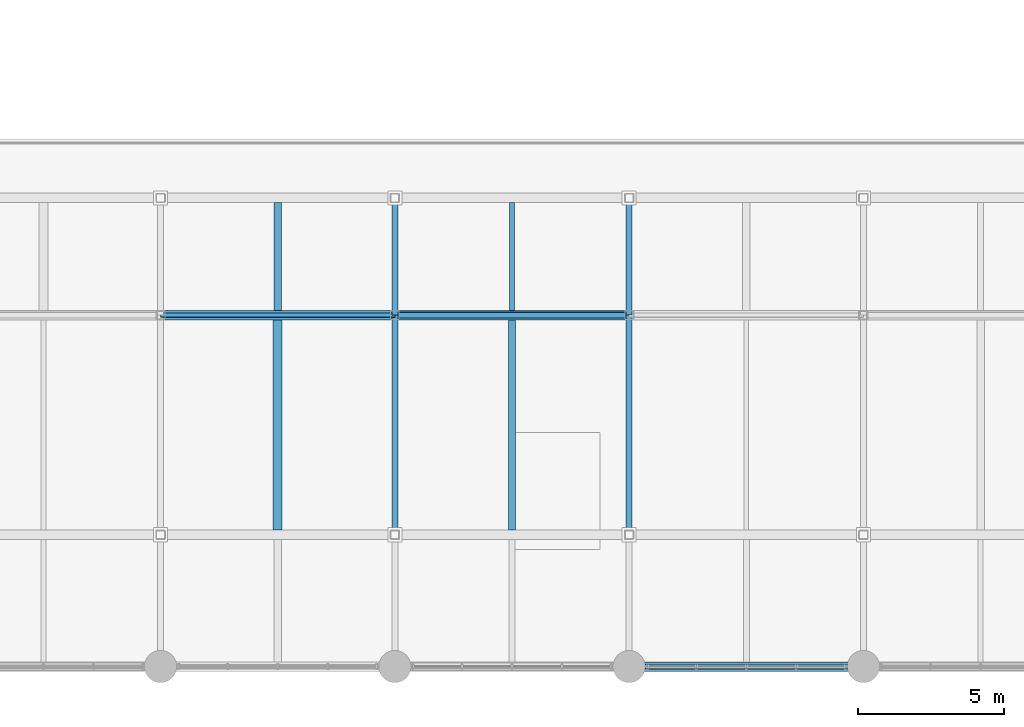
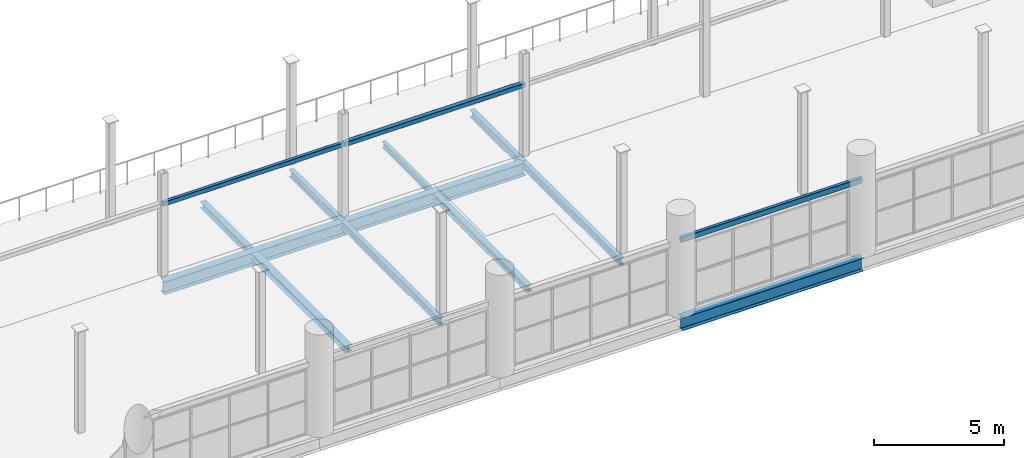
# One storey, part 28 of 114: 14 beams.
"""IFC4 building model written with IfcOpenShell, lengths in metres."""

from ifc_helpers import new_model, si_unit, direction, frame, origin, origin_2d, place, context, subcontext, project, spatial, hollow_rectangle, i_section, extrude, material, material_profile, profile_set, type_object, element, save


model = new_model("IFC4")

# Units and contexts
model_context = context("Model", 3, precision=1e-05, world=origin(), true_north=direction((0.0, 1.0)))
body_context = subcontext(model_context, "Body", "Model", "MODEL_VIEW")
ifc_project = project(units=[si_unit("LENGTHUNIT", "METRE"), si_unit("AREAUNIT", "SQUARE_METRE"), si_unit("VOLUMEUNIT", "CUBIC_METRE"), si_unit("PLANEANGLEUNIT", "RADIAN"), si_unit("MASSUNIT", "GRAM", prefix="KILO")], contexts=[model_context])

# Site, building, storey
site_placement = place(None, origin())
site = spatial("IfcSite", under=ifc_project, at=site_placement, CompositionType="ELEMENT")
building_placement = place(site_placement, origin())
building = spatial("IfcBuilding", under=site, at=building_placement, Name="Verrall Gate Interchange", CompositionType="ELEMENT")
storey_placement = place(building_placement, frame((0.0, 0.0, 6.60009765625)))
storey = spatial("IfcBuildingStorey", under=building, at=storey_placement, Name="L02", CompositionType="ELEMENT", Elevation=6.60009765625)

# Beams
ifc_material_1 = material(Name="Structural Steel CSA G40.21 350WT Cat 4", Category="steel")
ifc_material_profile_1 = material_profile(ifc_material_1, i_section(OverallWidth=0.323974609375, OverallDepth=0.611083984375, WebThickness=0.0126953125, FlangeThickness=0.01904296875, FilletRadius=0.014892578125, at=origin_2d()), Name="W610x155")
ifc_profile_set_1 = profile_set([ifc_material_profile_1], Name="Structural Steel CSA G40.21 350WT Cat 4")
beam_type_1 = type_object("IfcBeamType", Name="B-08 Structural Beam W610x155", PredefinedType="BEAM", material=ifc_profile_set_1)
for number, where, z_axis, x_axis, name in (
    (1, (76.0, 0.0, -0.585693359375), (1.0, 0.0, 0.0), (0.0, 1.0, 0.0), "L02 Girder BM-L02-1446 (B-08)"),
    (2, (60.0, 12.0, -0.585693359375), (1.0, 0.0, 0.0), (0.0, 1.0, 0.0), "L02 Girder BM-L02-1475 (B-08)"),
    (3, (68.0, 12.0, -0.585693359375), (1.0, 0.0, 0.0), (0.0, 1.0, 0.0), "L02 Girder BM-L02-1476 (B-08)"),
):
    element("IfcBeam", number, at=place(storey_placement, frame(where, z_axis=z_axis, x_axis=x_axis)), inside=storey, type_object=beam_type_1, Name=name, PredefinedType="BEAM", context=body_context, shape_type="SweptSolid", body=[
        extrude(i_section(OverallWidth=0.323974609375, OverallDepth=0.611083984375, WebThickness=0.0126953125, FlangeThickness=0.01904296875, FilletRadius=0.014892578125, at=origin_2d()), origin(), (0.0, 0.0, 1.0), 8.0),
    ])
ifc_material_2 = material(Name="Structural Steel CSA G40.21 350W", Category="steel")
ifc_material_profile_2 = material_profile(ifc_material_2, i_section(OverallWidth=0.205078125, OverallDepth=0.35400390625, WebThickness=0.009521484375, FlangeThickness=0.016845703125, FilletRadius=0.012939453125, at=origin_2d()), Name="W360x79")
ifc_profile_set_2 = profile_set([ifc_material_profile_2], Name="Structural Steel CSA G40.21 350W")
beam_type_2 = type_object("IfcBeamType", Name="B-14 Structural Beam W360x79", PredefinedType="BEAM", material=ifc_profile_set_2)
beam_1_placement = place(storey_placement, frame((68.0, 4.5, -0.45703125), z_axis=(0.0, 1.0, 0.0), x_axis=(-1.0, 0.0, 0.0)))
element("IfcBeam", 4, at=beam_1_placement, inside=storey, type_object=beam_type_2, Name="L02 Girder BM-L02-1748 (B-14)", PredefinedType="BEAM", context=body_context, shape_type="SweptSolid", body=[
    extrude(i_section(OverallWidth=0.205078125, OverallDepth=0.35400390625, WebThickness=0.009521484375, FlangeThickness=0.016845703125, FilletRadius=0.012939453125, at=origin_2d()), origin(), (0.0, 0.0, 1.0), 7.5),
])
beam_2_placement = place(storey_placement, frame((68.0, 12.0, -0.45703125), z_axis=(0.0, 1.0, 0.0), x_axis=(-1.0, 0.0, 0.0)))
element("IfcBeam", 5, at=beam_2_placement, inside=storey, type_object=beam_type_2, Name="L02 Girder BM-L02-1749 (B-14)", PredefinedType="BEAM", context=body_context, shape_type="SweptSolid", body=[
    extrude(i_section(OverallWidth=0.205078125, OverallDepth=0.35400390625, WebThickness=0.009521484375, FlangeThickness=0.016845703125, FilletRadius=0.012939453125, at=origin_2d()), origin(), (0.0, 0.0, 1.0), 4.0),
])
beam_3_placement = place(storey_placement, frame((76.0, 4.5, -0.45703125), z_axis=(0.0, 1.0, 0.0), x_axis=(-1.0, 0.0, 0.0)))
element("IfcBeam", 6, at=beam_3_placement, inside=storey, type_object=beam_type_2, Name="L02 Girder BM-L02-1752 (B-14)", PredefinedType="BEAM", context=body_context, shape_type="SweptSolid", body=[
    extrude(i_section(OverallWidth=0.205078125, OverallDepth=0.35400390625, WebThickness=0.009521484375, FlangeThickness=0.016845703125, FilletRadius=0.012939453125, at=origin_2d()), origin(), (0.0, 0.0, 1.0), 7.5),
])
beam_4_placement = place(storey_placement, frame((76.0, 12.0, -0.45703125), z_axis=(0.0, 1.0, 0.0), x_axis=(-1.0, 0.0, 0.0)))
element("IfcBeam", 7, at=beam_4_placement, inside=storey, type_object=beam_type_2, Name="L02 Girder BM-L02-1753 (B-14)", PredefinedType="BEAM", context=body_context, shape_type="SweptSolid", body=[
    extrude(i_section(OverallWidth=0.205078125, OverallDepth=0.35400390625, WebThickness=0.009521484375, FlangeThickness=0.016845703125, FilletRadius=0.012939453125, at=origin_2d()), origin(), (0.0, 0.0, 1.0), 4.0),
])
ifc_material_3 = material(Name="Structural Steel CSA G40.21 350W", Category="steel")
ifc_material_profile_3 = material_profile(ifc_material_3, i_section(OverallWidth=0.306884765625, OverallDepth=0.31396484375, WebThickness=0.011962890625, FlangeThickness=0.018798828125, FilletRadius=0.013916015625, at=origin_2d()), Name="W310x118")
ifc_profile_set_3 = profile_set([ifc_material_profile_3], Name="Structural Steel CSA G40.21 350W")
beam_type_3 = type_object("IfcBeamType", Name="J-02 Floor Joist W310x118", PredefinedType="JOIST", material=ifc_profile_set_3)
beam_5_placement = place(storey_placement, frame((64.0, 4.662109375, -0.43701171875), z_axis=(0.0, 1.0, 0.0), x_axis=(-1.0, 0.0, 0.0)))
element("IfcBeam", 8, at=beam_5_placement, inside=storey, type_object=beam_type_3, Name="L02 Secondary Floor Joist JST-L02-1861", PredefinedType="JOIST", context=body_context, shape_type="SweptSolid", body=[
    extrude(i_section(OverallWidth=0.306884765625, OverallDepth=0.31396484375, WebThickness=0.011962890625, FlangeThickness=0.018798828125, FilletRadius=0.013916015625, at=origin_2d()), origin(), (0.0, 0.0, 1.0), 7.17578125),
])
ifc_material_4 = material(Name="Structural Steel CSA G40.21 350W", Category="steel")
ifc_material_profile_4 = material_profile(ifc_material_4, i_section(OverallWidth=0.25390625, OverallDepth=0.305908203125, WebThickness=0.0087890625, FlangeThickness=0.0146484375, FilletRadius=0.012939453125, at=origin_2d()), Name="W310x79")
ifc_profile_set_4 = profile_set([ifc_material_profile_4], Name="Structural Steel CSA G40.21 350W")
beam_type_4 = type_object("IfcBeamType", Name="J-03 Floor Joist W310x79", PredefinedType="JOIST", material=ifc_profile_set_4)
beam_6_placement = place(storey_placement, frame((72.0, 4.662109375, -0.43310546875), z_axis=(0.0, 1.0, 0.0), x_axis=(-1.0, 0.0, 0.0)))
element("IfcBeam", 9, at=beam_6_placement, inside=storey, type_object=beam_type_4, Name="L02 Secondary Floor Joist JST-L02-1862", PredefinedType="JOIST", context=body_context, shape_type="SweptSolid", body=[
    extrude(i_section(OverallWidth=0.25390625, OverallDepth=0.305908203125, WebThickness=0.0087890625, FlangeThickness=0.0146484375, FilletRadius=0.012939453125, at=origin_2d()), origin(), (0.0, 0.0, 1.0), 7.17578125),
])
beam_7_placement = place(storey_placement, frame((64.0, 12.162109375, -0.43310546875), z_axis=(0.0, 1.0, 0.0), x_axis=(-1.0, 0.0, 0.0)))
element("IfcBeam", 10, at=beam_7_placement, inside=storey, type_object=beam_type_4, Name="L02 Secondary Floor Joist JST-L02-1873", PredefinedType="JOIST", context=body_context, shape_type="SweptSolid", body=[
    extrude(i_section(OverallWidth=0.25390625, OverallDepth=0.305908203125, WebThickness=0.0087890625, FlangeThickness=0.0146484375, FilletRadius=0.012939453125, at=origin_2d()), origin(), (0.0, 0.0, 1.0), 3.67578125),
])
ifc_material_5 = material(Name="Structural Steel CSA G40.21 350W", Category="steel")
ifc_material_profile_5 = material_profile(ifc_material_5, i_section(OverallWidth=0.1650390625, OverallDepth=0.31005859375, WebThickness=0.005859375, FlangeThickness=0.009765625, FilletRadius=0.010009765625, at=origin_2d()), Name="W310x39")
ifc_profile_set_5 = profile_set([ifc_material_profile_5], Name="Structural Steel CSA G40.21 350W")
beam_type_5 = type_object("IfcBeamType", Name="J-04 Floor Joist W310x39", PredefinedType="JOIST", material=ifc_profile_set_5)
beam_8_placement = place(storey_placement, frame((72.0, 12.162109375, -0.43505859375), z_axis=(0.0, 1.0, 0.0), x_axis=(-1.0, 0.0, 0.0)))
element("IfcBeam", 11, at=beam_8_placement, inside=storey, type_object=beam_type_5, Name="L02 Secondary Floor Joist JST-L02-1874", PredefinedType="JOIST", context=body_context, shape_type="SweptSolid", body=[
    extrude(i_section(OverallWidth=0.1650390625, OverallDepth=0.31005859375, WebThickness=0.005859375, FlangeThickness=0.009765625, FilletRadius=0.010009765625, at=origin_2d()), origin(), (0.0, 0.0, 1.0), 3.67578125),
])
ifc_material_6 = material(Name="Structural Steel CSA G40.21 350W", Category="steel")
ifc_material_profile_6 = material_profile(ifc_material_6, hollow_rectangle(XDim=0.152099609375, YDim=0.25390625, WallThickness=0.009521484375, InnerFilletRadius=0.009521484375, OuterFilletRadius=0.01904296875, at=origin_2d()), Name="HSS254x152x9.5")
ifc_profile_set_6 = profile_set([ifc_material_profile_6], Name="Structural Steel CSA G40.21 350W")
beam_type_6 = type_object("IfcBeamType", Name="LN-01 Portal Lintel HSS254x152x9.5", PredefinedType="LINTEL", material=ifc_profile_set_6)
beam_9_placement = place(storey_placement, frame((76.0, 0.0, 3.2998046875), z_axis=(1.0, 0.0, 0.0), x_axis=(0.0, 1.0, 0.0)))
element("IfcBeam", 12, at=beam_9_placement, inside=storey, type_object=beam_type_6, Name="Classical Portal Lintel 029", PredefinedType="LINTEL", context=body_context, shape_type="SweptSolid", body=[
    extrude(hollow_rectangle(XDim=0.152099609375, YDim=0.25390625, WallThickness=0.009521484375, InnerFilletRadius=0.009521484375, OuterFilletRadius=0.01904296875, at=origin_2d()), origin(), (0.0, 0.0, 1.0), 8.0),
])
ifc_material_7 = material(Name="Structural Steel CSA G40.21 350W", Category="steel")
ifc_material_profile_7 = material_profile(ifc_material_7, hollow_rectangle(XDim=0.152099609375, YDim=0.202880859375, WallThickness=0.008056640625, InnerFilletRadius=0.008056640625, OuterFilletRadius=0.015869140625, at=origin_2d()), Name="HSS203x152x8.0")
ifc_profile_set_7 = profile_set([ifc_material_profile_7], Name="Structural Steel CSA G40.21 350W")
beam_type_7 = type_object("IfcBeamType", Name="LN-02 Portal Lintel HSS203x152x8.0", PredefinedType="LINTEL", material=ifc_profile_set_7)
beam_10_placement = place(storey_placement, frame((60.0, 12.0, 3.2998046875), z_axis=(1.0, 0.0, 0.0), x_axis=(0.0, 1.0, 0.0)))
element("IfcBeam", 13, at=beam_10_placement, inside=storey, type_object=beam_type_7, Name="Classical Portal Lintel 026", PredefinedType="LINTEL", context=body_context, shape_type="SweptSolid", body=[
    extrude(hollow_rectangle(XDim=0.152099609375, YDim=0.202880859375, WallThickness=0.008056640625, InnerFilletRadius=0.008056640625, OuterFilletRadius=0.015869140625, at=origin_2d()), origin(), (0.0, 0.0, 1.0), 8.0),
])
ifc_material_8 = material(Name="Structural Steel CSA G40.21 350W", Category="steel")
ifc_material_profile_8 = material_profile(ifc_material_8, hollow_rectangle(XDim=0.202880859375, YDim=0.202880859375, WallThickness=0.009521484375, InnerFilletRadius=0.009521484375, OuterFilletRadius=0.01904296875, at=origin_2d()), Name="HSS203x203x9.5")
ifc_profile_set_8 = profile_set([ifc_material_profile_8], Name="Structural Steel CSA G40.21 350W")
beam_type_8 = type_object("IfcBeamType", Name="LN-04 Portal Lintel HSS203x203x9.5", PredefinedType="LINTEL", material=ifc_profile_set_8)
beam_11_placement = place(storey_placement, frame((68.0, 12.0, 3.2998046875), z_axis=(1.0, 0.0, 0.0), x_axis=(0.0, 1.0, 0.0)))
element("IfcBeam", 14, at=beam_11_placement, inside=storey, type_object=beam_type_8, Name="Classical Portal Lintel 028", PredefinedType="LINTEL", context=body_context, shape_type="SweptSolid", body=[
    extrude(hollow_rectangle(XDim=0.202880859375, YDim=0.202880859375, WallThickness=0.009521484375, InnerFilletRadius=0.009521484375, OuterFilletRadius=0.01904296875, at=origin_2d()), origin(), (0.0, 0.0, 1.0), 8.0),
])

save(model, "model.ifc")
